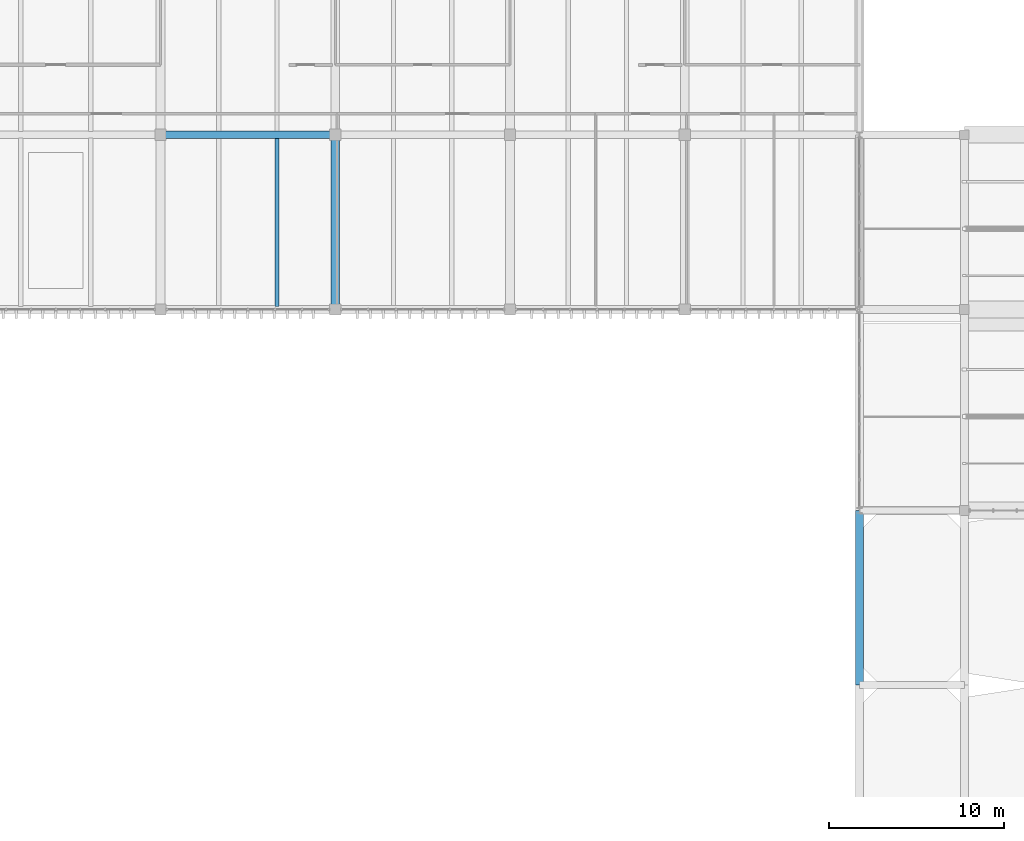
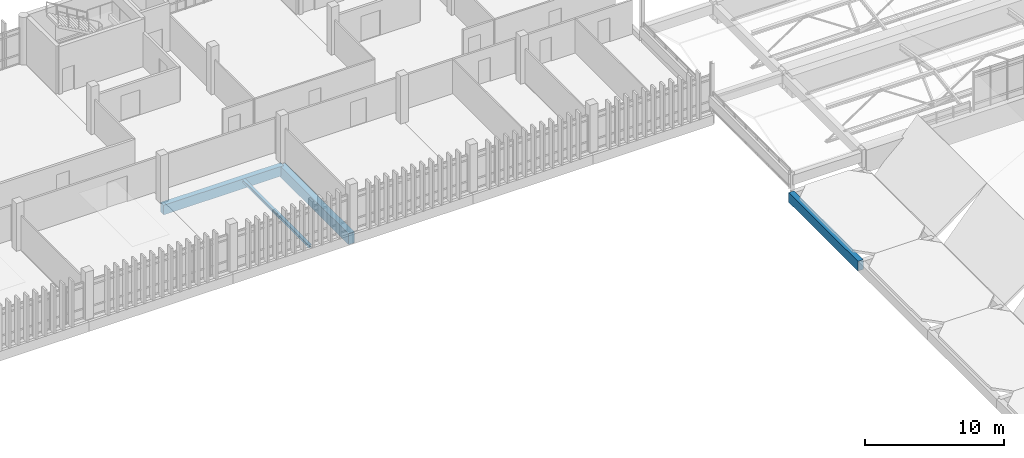
# One storey, part 23 of 82: 4 beams.
"""IFC4 building model written with IfcOpenShell, lengths in metres."""

from ifc_helpers import new_model, si_unit, direction, frame, origin, origin_2d, place, context, subcontext, project, spatial, rectangle, i_section, extrude, material, material_profile, profile_set, type_object, element, save


model = new_model("IFC4")

# Units and contexts
model_context = context("Model", 3, precision=1e-05, world=origin(), true_north=direction((0.0, 1.0)))
body_context = subcontext(model_context, "Body", "Model", "MODEL_VIEW")
ifc_project = project(units=[si_unit("LENGTHUNIT", "METRE"), si_unit("AREAUNIT", "SQUARE_METRE"), si_unit("VOLUMEUNIT", "CUBIC_METRE"), si_unit("PLANEANGLEUNIT", "RADIAN"), si_unit("MASSUNIT", "GRAM", prefix="KILO")], contexts=[model_context])

# Site, building, storey
site_placement = place(None, origin())
site = spatial("IfcSite", under=ifc_project, at=site_placement, CompositionType="ELEMENT")
building_placement = place(site_placement, origin())
building = spatial("IfcBuilding", under=site, at=building_placement, Name="Mersad Railyard Sports Hall", CompositionType="ELEMENT")
storey_placement = place(building_placement, frame((0.0, 0.0, 13.199951171875)))
storey = spatial("IfcBuildingStorey", under=building, at=storey_placement, Name="L03", CompositionType="ELEMENT", Elevation=13.199951171875)

# Beams
ifc_material_1 = material(Name="Concrete C40/50", Category="concrete")
ifc_material_profile_1 = material_profile(ifc_material_1, rectangle(XDim=0.449951171875, YDim=0.85009765625, at=origin_2d()), Name="RC 450x850")
ifc_profile_set_1 = profile_set([ifc_material_profile_1], Name="Concrete C40/50")
beam_type_1 = type_object("IfcBeamType", Name="STR-BM-B02", PredefinedType="BEAM", material=ifc_profile_set_1)
for number, where, z_axis, x_axis, name in (
    (1, (131.0, 63.5, -0.64501953125), (0.0, 1.0, 0.0), (-1.0, 0.0, 0.0), "Beam B02-0675"),
    (2, (91.0, 95.0, -0.744873046875), (1.0, 0.0, 0.0), (0.0, 1.0, 0.0), "Beam B02-1224"),
):
    element("IfcBeam", number, at=place(storey_placement, frame(where, z_axis=z_axis, x_axis=x_axis)), inside=storey, type_object=beam_type_1, Name=name, PredefinedType="BEAM", context=body_context, shape_type="SweptSolid", body=[
        extrude(rectangle(XDim=0.449951171875, YDim=0.85009765625, at=origin_2d()), origin(), (0.0, 0.0, 1.0), 10.0),
    ])
ifc_material_2 = material(Name="Concrete C50/60", Category="concrete")
ifc_material_profile_2 = material_profile(ifc_material_2, rectangle(XDim=0.5, YDim=0.949951171875, at=origin_2d()), Name="RC 500x950")
ifc_profile_set_2 = profile_set([ifc_material_profile_2], Name="Concrete C50/60")
beam_type_2 = type_object("IfcBeamType", Name="STR-BM-B03", PredefinedType="BEAM", material=ifc_profile_set_2)
beam_1_placement = place(storey_placement, frame((101.0, 85.0, -0.794921875), z_axis=(0.0, 1.0, 0.0), x_axis=(-1.0, 0.0, 0.0)))
element("IfcBeam", 3, at=beam_1_placement, inside=storey, type_object=beam_type_2, Name="Beam B03-1259", PredefinedType="BEAM", context=body_context, shape_type="SweptSolid", body=[
    extrude(rectangle(XDim=0.5, YDim=0.949951171875, at=origin_2d()), origin(), (0.0, 0.0, 1.0), 10.0),
])
ifc_material_3 = material(Name="Steel S355", Category="steel")
ifc_material_profile_3 = material_profile(ifc_material_3, i_section(OverallWidth=0.239990234375, OverallDepth=0.239990234375, WebThickness=0.010009765625, FlangeThickness=0.01708984375, at=origin_2d()), Name="HEB 240")
ifc_profile_set_3 = profile_set([ifc_material_profile_3], Name="Steel S355")
beam_type_3 = type_object("IfcBeamType", Name="STR-BM-SB04", PredefinedType="BEAM", material=ifc_profile_set_3)
beam_2_placement = place(storey_placement, frame((97.6669921875, 85.179931640625, -0.43994140625), z_axis=(0.0, 1.0, 0.0), x_axis=(-1.0, 0.0, 0.0)))
element("IfcBeam", 4, at=beam_2_placement, inside=storey, type_object=beam_type_3, Name="Beam SB04-1295", PredefinedType="BEAM", context=body_context, shape_type="SweptSolid", body=[
    extrude(i_section(OverallWidth=0.239990234375, OverallDepth=0.239990234375, WebThickness=0.010009765625, FlangeThickness=0.01708984375, at=origin_2d()), origin(), (0.0, 0.0, 1.0), 9.64013671875),
])

save(model, "model.ifc")
